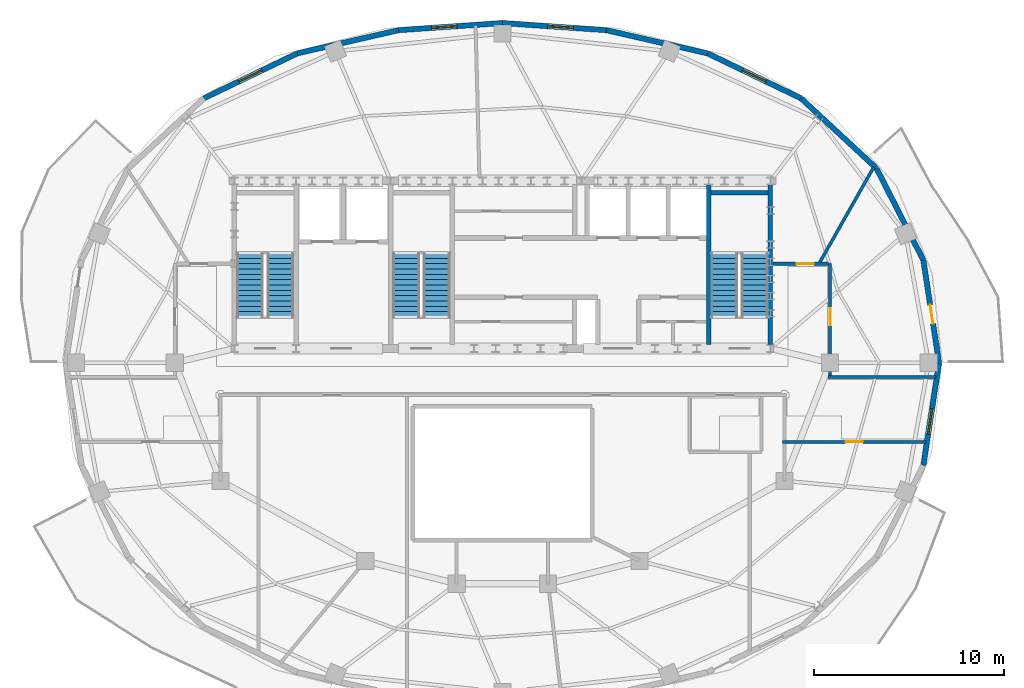
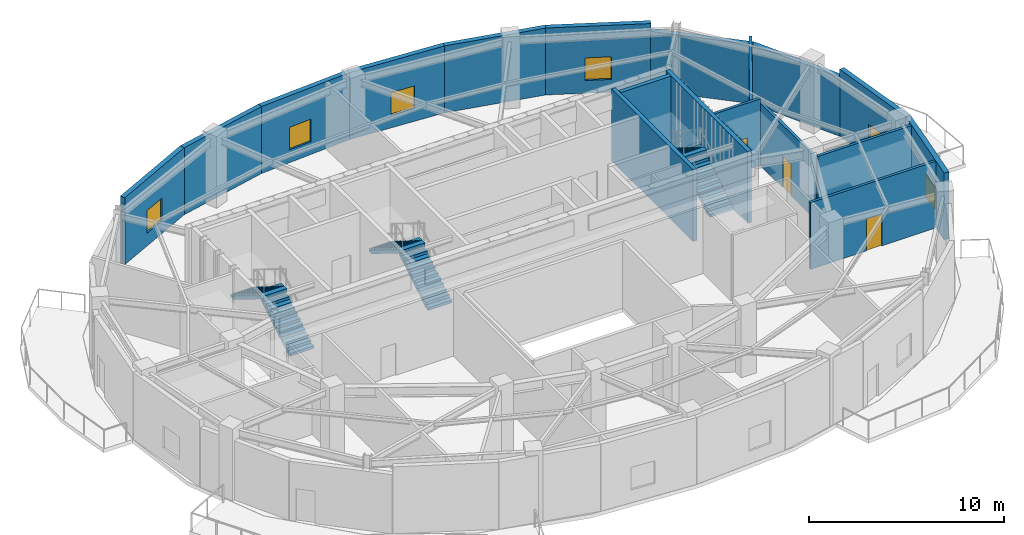
# One storey, part 5 of 9: 18 walls, 6 stair flights, 5 windows, 4 doors, 9 openings, 3 elements without a shape of their own.
"""IFC4 building model written with IfcOpenShell, lengths in metres."""

from ifc_helpers import new_model, si_unit, direction, frame, frame_2d, origin, place, context, subcontext, project, spatial, polyline, rectangle, outline, extrude, material, layer, layer_set, type_object, element, fill, aggregate, save


model = new_model("IFC4")

# Units and contexts
model_context = context("Model", 3, precision=1e-05, world=origin(), true_north=direction((0.0, 1.0)))
body_context = subcontext(model_context, "Body", "Model", "MODEL_VIEW")
ifc_project = project(units=[si_unit("LENGTHUNIT", "METRE"), si_unit("AREAUNIT", "SQUARE_METRE"), si_unit("VOLUMEUNIT", "CUBIC_METRE"), si_unit("PLANEANGLEUNIT", "RADIAN"), si_unit("MASSUNIT", "GRAM", prefix="KILO")], contexts=[model_context])

# Site, building, storey
site_placement = place(None, origin())
site = spatial("IfcSite", under=ifc_project, at=site_placement, CompositionType="ELEMENT")
building_placement = place(site_placement, origin())
building = spatial("IfcBuilding", under=site, at=building_placement, Name="Haldorwick Loom Tower", CompositionType="ELEMENT")
storey_placement = place(building_placement, frame((0.0, 0.0, 282.0)))
storey = spatial("IfcBuildingStorey", under=building, at=storey_placement, Name="L76", CompositionType="ELEMENT", Elevation=282.0)

# Wall, opening, door
ifc_material_1 = material(Name="Pressed Clay Face Brick and Insulated Masonry Backup Assembly", Category="masonry")
ifc_layer_1 = layer(ifc_material_1, 0.280029296875, Name="Pressed Clay Face Brick and Insulated Masonry Backup Assembly", Category="masonry")
ifc_layer_set_1 = layer_set([ifc_layer_1], Name="Pressed Clay Face Brick and Insulated Masonry Backup Assembly")
wall_type_1 = type_object("IfcWallType", Name="ARC-WL-EXT280", PredefinedType="STANDARD", material=ifc_layer_set_1)
wall_1_placement = place(storey_placement, frame((58.9208984375, 26.0, 0.0), z_axis=(0.0, 0.0, 1.0), x_axis=(-0.151110573005, 0.988516866182, 0.0)))
wall_1 = element("IfcWall", 1, at=wall_1_placement, inside=storey, type_object=wall_type_1, Name="L76 Brick Pier and Spandrel Wall 1", PredefinedType="STANDARD", context=body_context, shape_type="SweptSolid", body=[
    extrude(rectangle(XDim=5.4462890625, YDim=0.280029296875, at=frame_2d((2.72314453125, 0.0))), origin(), (0.0, 0.0, 1.0), 4.199951171875),
])
opening_1_placement = place(wall_1_placement, frame((2.07373046875, 0.0, 0.0)))
opening_1 = element("IfcOpeningElement", 2, at=opening_1_placement, cuts=wall_1, Name="Opening D-BL10", PredefinedType="OPENING", context=body_context, shape_type="SweptSolid", body=[
    extrude(rectangle(XDim=1.0, YDim=2.0400390625, at=frame_2d((0.5, 1.02001953125))), frame((0.0, 0.14990234375, 0.0), z_axis=(0.0, -1.0, 0.0), x_axis=(1.0, 0.0, 0.0)), (0.0, 0.0, 1.0), 0.300048828125),
])
ifc_material_2 = material(Name="Thermally Broken Anodized Aluminium Curtain Wall Framing", Category="aluminium")
door_type_1 = type_object("IfcDoorType", Name="ARC-DR-BAL100", OperationType="NOTDEFINED", PredefinedType="DOOR", material=ifc_material_2)
door_1_placement = place(opening_1_placement, origin())
door_1 = element("IfcDoor", 3, at=door_1_placement, inside=storey, type_object=door_type_1, Name="L76 Outdoor Terrace Door SLB-L76-BAL_ENE", OperationType="SINGLE_SWING_RIGHT", OverallHeight=2.0400390625, OverallWidth=1.0, PredefinedType="DOOR", context=body_context, shape_type="SweptSolid", body=[
    extrude(rectangle(XDim=1.0, YDim=2.0400390625, at=frame_2d((0.5, 1.02001953125))), frame((0.0, 0.02490234375, 0.0), z_axis=(0.0, -1.0, 0.0), x_axis=(1.0, 0.0, 0.0)), (0.0, 0.0, 1.0), 0.050048828125),
])
fill(opening_1, door_1)

# Walls
for number, where, z_axis, x_axis, name in (
    (4, (58.097900390625, 31.3837890625, 0.0), (0.0, 0.0, 1.0), (-0.454417014044, 0.890789075678, 0.0), "L76 Brick Pier and Spandrel Wall 2"),
    (5, (55.638671875, 36.20458984375, 0.0), (0.0, 0.0, 1.0), (-0.733156506145, 0.680059951399, 0.0), "L76 Brick Pier and Spandrel Wall 3"),
):
    element("IfcWall", number, at=place(storey_placement, frame(where, z_axis=z_axis, x_axis=x_axis)), inside=storey, type_object=wall_type_1, Name=name, PredefinedType="STANDARD", context=body_context, shape_type="SweptSolid", body=[
        extrude(rectangle(XDim=5.411865234375, YDim=0.280029296875, at=frame_2d((2.7060546875, 0.0))), origin(), (0.0, 0.0, 1.0), 3.708984375),
    ])

# Wall, opening, window
wall_2_placement = place(storey_placement, frame((51.6708984375, 39.885009765625, 0.0), z_axis=(0.0, 0.0, 1.0), x_axis=(-0.901083511605, 0.433645598518, 0.0)))
wall_2 = element("IfcWall", 6, at=wall_2_placement, inside=storey, type_object=wall_type_1, Name="L76 Brick Pier and Spandrel Wall 4", PredefinedType="STANDARD", context=body_context, shape_type="SweptSolid", body=[
    extrude(rectangle(XDim=5.440185546875, YDim=0.280029296875, at=frame_2d((2.72021484375, 0.0))), origin(), (0.0, 0.0, 1.0), 4.199951171875),
])
opening_2_placement = place(wall_2_placement, frame((2.045166015625, 0.0, 0.800048828125)))
opening_2 = element("IfcOpeningElement", 7, at=opening_2_placement, cuts=wall_2, Name="Opening W-02B", PredefinedType="OPENING", context=body_context, shape_type="SweptSolid", body=[
    extrude(rectangle(XDim=1.35009765625, YDim=1.419921875, at=frame_2d((0.675048828125, 0.7099609375))), frame((0.0, 0.14990234375, 0.0), z_axis=(0.0, -1.0, 0.0), x_axis=(1.0, 0.0, 0.0)), (0.0, 0.0, 1.0), 0.300048828125),
])
ifc_material_3 = material(Name="Triple-Glazed Low-E Argon Insulated Glazing Unit", Category="glass")
window_type = type_object("IfcWindowType", Name="ARC-WIN-W135", PartitioningType="SINGLE_PANEL", PredefinedType="WINDOW", material=ifc_material_3)
window_1_placement = place(opening_2_placement, origin())
window_1 = element("IfcWindow", 8, at=window_1_placement, inside=storey, type_object=window_type, Name="L76 Deep-Set Zone 7A Window 4", OverallHeight=1.419921875, OverallWidth=1.35009765625, PartitioningType="SINGLE_PANEL", PredefinedType="WINDOW", context=body_context, shape_type="SweptSolid", body=[
    extrude(rectangle(XDim=1.35009765625, YDim=1.419921875, at=frame_2d((0.675048828125, 0.7099609375))), frame((0.0, 0.030029296875, 0.0), z_axis=(0.0, -1.0, 0.0), x_axis=(1.0, 0.0, 0.0)), (0.0, 0.0, 1.0), 0.06005859375),
])
fill(opening_2, window_1)

# Wall
wall_3_placement = place(storey_placement, frame((46.768798828125, 42.244140625, 0.0), z_axis=(0.0, 0.0, 1.0), x_axis=(-0.974769032237, 0.223215890545, 0.0)))
element("IfcWall", 9, at=wall_3_placement, inside=storey, type_object=wall_type_1, Name="L76 Brick Pier and Spandrel Wall 5", PredefinedType="STANDARD", context=body_context, shape_type="SweptSolid", body=[
    extrude(rectangle(XDim=5.457763671875, YDim=0.280029296875, at=frame_2d((2.72900390625, 0.0))), origin(), (0.0, 0.0, 1.0), 4.199951171875),
])

# Wall, opening, window
wall_4_placement = place(storey_placement, frame((41.44873046875, 43.46240234375, 0.0), z_axis=(0.0, 0.0, 1.0), x_axis=(-0.997667530395, 0.068260521503, 0.0)))
wall_4 = element("IfcWall", 10, at=wall_4_placement, inside=storey, type_object=wall_type_1, Name="L76 Brick Pier and Spandrel Wall 6", PredefinedType="STANDARD", context=body_context, shape_type="SweptSolid", body=[
    extrude(rectangle(XDim=5.46142578125, YDim=0.280029296875, at=frame_2d((2.730712890625, 0.0))), origin(), (0.0, 0.0, 1.0), 4.199951171875),
])
opening_3_placement = place(wall_4_placement, frame((1.724609375, 0.0, 0.800048828125)))
opening_3 = element("IfcOpeningElement", 11, at=opening_3_placement, cuts=wall_4, Name="Opening W-02B", PredefinedType="OPENING", context=body_context, shape_type="SweptSolid", body=[
    extrude(rectangle(XDim=1.35009765625, YDim=1.419921875, at=frame_2d((0.675048828125, 0.7099609375))), frame((0.0, 0.14990234375, 0.0), z_axis=(0.0, -1.0, 0.0), x_axis=(1.0, 0.0, 0.0)), (0.0, 0.0, 1.0), 0.300048828125),
])
window_2_placement = place(opening_3_placement, origin())
window_2 = element("IfcWindow", 12, at=window_2_placement, inside=storey, type_object=window_type, Name="L76 Deep-Set Zone 7A Window 6", OverallHeight=1.419921875, OverallWidth=1.35009765625, PartitioningType="SINGLE_PANEL", PredefinedType="WINDOW", context=body_context, shape_type="SweptSolid", body=[
    extrude(rectangle(XDim=1.35009765625, YDim=1.419921875, at=frame_2d((0.675048828125, 0.7099609375))), frame((0.0, 0.030029296875, 0.0), z_axis=(0.0, -1.0, 0.0), x_axis=(1.0, 0.0, 0.0)), (0.0, 0.0, 1.0), 0.06005859375),
])
fill(opening_3, window_2)

wall_5_placement = place(storey_placement, frame((36.0, 43.835205078125, 0.0), z_axis=(0.0, 0.0, 1.0), x_axis=(-0.997667530395, -0.068260521503, 0.0)))
wall_5 = element("IfcWall", 13, at=wall_5_placement, inside=storey, type_object=wall_type_1, Name="L76 Brick Pier and Spandrel Wall 7", PredefinedType="STANDARD", context=body_context, shape_type="SweptSolid", body=[
    extrude(rectangle(XDim=5.46142578125, YDim=0.280029296875, at=frame_2d((2.730712890625, 0.0))), origin(), (0.0, 0.0, 1.0), 4.199951171875),
])
opening_4_placement = place(wall_5_placement, frame((2.38671875, 0.0, 0.800048828125)))
opening_4 = element("IfcOpeningElement", 14, at=opening_4_placement, cuts=wall_5, Name="Opening W-02B", PredefinedType="OPENING", context=body_context, shape_type="SweptSolid", body=[
    extrude(rectangle(XDim=1.35009765625, YDim=1.419921875, at=frame_2d((0.675048828125, 0.7099609375))), frame((0.0, 0.14990234375, 0.0), z_axis=(0.0, -1.0, 0.0), x_axis=(1.0, 0.0, 0.0)), (0.0, 0.0, 1.0), 0.300048828125),
])
window_3_placement = place(opening_4_placement, origin())
window_3 = element("IfcWindow", 15, at=window_3_placement, inside=storey, type_object=window_type, Name="L76 Deep-Set Zone 7A Window 7", OverallHeight=1.419921875, OverallWidth=1.35009765625, PartitioningType="SINGLE_PANEL", PredefinedType="WINDOW", context=body_context, shape_type="SweptSolid", body=[
    extrude(rectangle(XDim=1.35009765625, YDim=1.419921875, at=frame_2d((0.675048828125, 0.7099609375))), frame((0.0, 0.030029296875, 0.0), z_axis=(0.0, -1.0, 0.0), x_axis=(1.0, 0.0, 0.0)), (0.0, 0.0, 1.0), 0.06005859375),
])
fill(opening_4, window_3)

# Wall
wall_6_placement = place(storey_placement, frame((30.55126953125, 43.46240234375, 0.0), z_axis=(0.0, 0.0, 1.0), x_axis=(-0.974769032237, -0.223215890545, 0.0)))
element("IfcWall", 16, at=wall_6_placement, inside=storey, type_object=wall_type_1, Name="L76 Brick Pier and Spandrel Wall 8", PredefinedType="STANDARD", context=body_context, shape_type="SweptSolid", body=[
    extrude(rectangle(XDim=5.457763671875, YDim=0.280029296875, at=frame_2d((2.72900390625, 0.0))), origin(), (0.0, 0.0, 1.0), 4.199951171875),
])

# Wall, opening, window
wall_7_placement = place(storey_placement, frame((25.231201171875, 42.244140625, 0.0), z_axis=(0.0, 0.0, 1.0), x_axis=(-0.901083511605, -0.433645598518, 0.0)))
wall_7 = element("IfcWall", 17, at=wall_7_placement, inside=storey, type_object=wall_type_1, Name="L76 Brick Pier and Spandrel Wall 9", PredefinedType="STANDARD", context=body_context, shape_type="SweptSolid", body=[
    extrude(rectangle(XDim=5.440185546875, YDim=0.280029296875, at=frame_2d((2.72021484375, 0.0))), origin(), (0.0, 0.0, 1.0), 4.199951171875),
])
opening_5_placement = place(wall_7_placement, frame((2.045166015625, 0.0, 0.800048828125)))
opening_5 = element("IfcOpeningElement", 18, at=opening_5_placement, cuts=wall_7, Name="Opening W-02B", PredefinedType="OPENING", context=body_context, shape_type="SweptSolid", body=[
    extrude(rectangle(XDim=1.35009765625, YDim=1.419921875, at=frame_2d((0.675048828125, 0.7099609375))), frame((0.0, 0.14990234375, 0.0), z_axis=(0.0, -1.0, 0.0), x_axis=(1.0, 0.0, 0.0)), (0.0, 0.0, 1.0), 0.300048828125),
])
window_4_placement = place(opening_5_placement, origin())
window_4 = element("IfcWindow", 19, at=window_4_placement, inside=storey, type_object=window_type, Name="L76 Deep-Set Zone 7A Window 9", OverallHeight=1.419921875, OverallWidth=1.35009765625, PartitioningType="SINGLE_PANEL", PredefinedType="WINDOW", context=body_context, shape_type="SweptSolid", body=[
    extrude(rectangle(XDim=1.35009765625, YDim=1.419921875, at=frame_2d((0.675048828125, 0.7099609375))), frame((0.0, 0.030029296875, 0.0), z_axis=(0.0, -1.0, 0.0), x_axis=(1.0, 0.0, 0.0)), (0.0, 0.0, 1.0), 0.06005859375),
])
fill(opening_5, window_4)

wall_8_placement = place(storey_placement, frame((58.097900390625, 20.6162109375, 0.0), z_axis=(0.0, 0.0, 1.0), x_axis=(0.151110573005, 0.988516866182, 0.0)))
wall_8 = element("IfcWall", 20, at=wall_8_placement, inside=storey, type_object=wall_type_1, Name="L76 Brick Pier and Spandrel Wall 24", PredefinedType="STANDARD", context=body_context, shape_type="SweptSolid", body=[
    extrude(rectangle(XDim=5.4462890625, YDim=0.280029296875, at=frame_2d((2.72314453125, 0.0))), origin(), (0.0, 0.0, 1.0), 4.199951171875),
])
opening_6_placement = place(wall_8_placement, frame((1.658447265625, 0.0, 0.800048828125)))
opening_6 = element("IfcOpeningElement", 21, at=opening_6_placement, cuts=wall_8, Name="Opening W-02B", PredefinedType="OPENING", context=body_context, shape_type="SweptSolid", body=[
    extrude(rectangle(XDim=1.35009765625, YDim=1.419921875, at=frame_2d((0.675048828125, 0.7099609375))), frame((0.0, 0.14990234375, 0.0), z_axis=(0.0, -1.0, 0.0), x_axis=(1.0, 0.0, 0.0)), (0.0, 0.0, 1.0), 0.300048828125),
])
window_5_placement = place(opening_6_placement, origin())
window_5 = element("IfcWindow", 22, at=window_5_placement, inside=storey, type_object=window_type, Name="L76 Deep-Set Zone 7A Window 24", OverallHeight=1.419921875, OverallWidth=1.35009765625, PartitioningType="SINGLE_PANEL", PredefinedType="WINDOW", context=body_context, shape_type="SweptSolid", body=[
    extrude(rectangle(XDim=1.35009765625, YDim=1.419921875, at=frame_2d((0.675048828125, 0.7099609375))), frame((0.0, 0.030029296875, 0.0), z_axis=(0.0, -1.0, 0.0), x_axis=(1.0, 0.0, 0.0)), (0.0, 0.0, 1.0), 0.06005859375),
])
fill(opening_6, window_5)

# Wall, opening, door
ifc_material_4 = material(Name="Fire-Rated Type X Gypsum Stud Assembly EI 60")
ifc_layer_2 = layer(ifc_material_4, 0.159912109375, Name="Fire-Rated Type X Gypsum Stud Assembly EI 60")
ifc_layer_set_2 = layer_set([ifc_layer_2], Name="Fire-Rated Type X Gypsum Stud Assembly EI 60")
wall_type_2 = type_object("IfcWallType", Name="ARC-WL-FIRE160", PredefinedType="PARTITIONING", material=ifc_layer_set_2)
wall_9_placement = place(storey_placement, frame((50.699951171875, 21.85009765625, 0.0), z_axis=(0.0, 0.0, 1.0), x_axis=(1.0, 0.0, 0.0)))
wall_9 = element("IfcWall", 23, at=wall_9_placement, inside=storey, type_object=wall_type_2, Name="L76 Residential Fire Partition L76-CR-SPE", PredefinedType="PARTITIONING", context=body_context, shape_type="SweptSolid", body=[
    extrude(rectangle(XDim=7.541015625, YDim=0.159912109375, at=frame_2d((3.7705078125, 0.0))), origin(), (0.0, 0.0, 1.0), 4.18505859375),
])
opening_7_placement = place(wall_9_placement, frame((3.3203125, 0.0, 0.0)))
opening_7 = element("IfcOpeningElement", 24, at=opening_7_placement, cuts=wall_9, Name="Opening D-FD60A", PredefinedType="OPENING", context=body_context, shape_type="SweptSolid", body=[
    extrude(rectangle(XDim=0.89990234375, YDim=2.0, at=frame_2d((0.449951171875, 1.0))), frame((0.0, 0.08984375, 0.0), z_axis=(0.0, -1.0, 0.0), x_axis=(1.0, 0.0, 0.0)), (0.0, 0.0, 1.0), 0.179931640625),
])
ifc_material_5 = material(Name="Hollow Steel Fire Door Assembly", Category="steel")
door_type_2 = type_object("IfcDoorType", Name="ARC-DR-FD60-90", OperationType="NOTDEFINED", PredefinedType="DOOR", material=ifc_material_5)
door_2_placement = place(opening_7_placement, origin())
door_2 = element("IfcDoor", 25, at=door_2_placement, inside=storey, type_object=door_type_2, Name="L76 L76 Central Residential Corridor to Resident Study Room 1 Door", OperationType="SINGLE_SWING_LEFT", OverallHeight=2.0, OverallWidth=0.89990234375, PredefinedType="DOOR", context=body_context, shape_type="SweptSolid", body=[
    extrude(rectangle(XDim=0.89990234375, YDim=2.0, at=frame_2d((0.449951171875, 1.0))), frame((0.0, 0.02490234375, 0.0), z_axis=(0.0, -1.0, 0.0), x_axis=(1.0, 0.0, 0.0)), (0.0, 0.0, 1.0), 0.050048828125),
])
fill(opening_7, door_2)

# Wall
wall_10_placement = place(storey_placement, frame((53.10009765625, 25.25, 0.0), z_axis=(0.0, 0.0, 1.0), x_axis=(1.0, 0.0, 0.0)))
element("IfcWall", 26, at=wall_10_placement, inside=storey, type_object=wall_type_2, Name="L76 Residential Fire Partition L76-CR-NEL", PredefinedType="PARTITIONING", context=body_context, shape_type="SweptSolid", body=[
    extrude(rectangle(XDim=5.660400390625, YDim=0.159912109375, at=frame_2d((2.830078125, 0.0))), origin(), (0.0, 0.0, 1.0), 4.18505859375),
])

# Wall, opening, door
wall_11_placement = place(storey_placement, frame((53.199951171875, 25.3330078125, 0.0), z_axis=(0.0, 0.0, 1.0), x_axis=(0.0, 1.0, 0.0)))
wall_11 = element("IfcWall", 27, at=wall_11_placement, inside=storey, type_object=wall_type_2, Name="L76 Residential Fire Partition L76-CR-E0", PredefinedType="PARTITIONING", context=body_context, shape_type="SweptSolid", body=[
    extrude(rectangle(XDim=5.866943359375, YDim=0.159912109375, at=frame_2d((2.93359375, 0.0))), origin(), (0.0, 0.0, 1.0), 3.9169921875),
])
opening_8_placement = place(wall_11_placement, frame((2.634521484375, 0.0, 0.0)))
opening_8 = element("IfcOpeningElement", 28, at=opening_8_placement, cuts=wall_11, Name="Opening D-FD60A", PredefinedType="OPENING", context=body_context, shape_type="SweptSolid", body=[
    extrude(rectangle(XDim=0.89990234375, YDim=2.0, at=frame_2d((0.449951171875, 1.0))), frame((0.0, 0.08984375, 0.0), z_axis=(0.0, -1.0, 0.0), x_axis=(1.0, 0.0, 0.0)), (0.0, 0.0, 1.0), 0.179931640625),
])
door_3_placement = place(opening_8_placement, origin())
door_3 = element("IfcDoor", 29, at=door_3_placement, inside=storey, type_object=door_type_2, Name="L76 L76 Central Residential Corridor to Co-Working Open Office 1 Door", OperationType="SINGLE_SWING_LEFT", OverallHeight=2.0, OverallWidth=0.89990234375, PredefinedType="DOOR", context=body_context, shape_type="SweptSolid", body=[
    extrude(rectangle(XDim=0.89990234375, YDim=2.0, at=frame_2d((0.449951171875, 1.0))), frame((0.0, 0.02490234375, 0.0), z_axis=(0.0, -1.0, 0.0), x_axis=(1.0, 0.0, 0.0)), (0.0, 0.0, 1.0), 0.050048828125),
])
fill(opening_8, door_3)

wall_12_placement = place(storey_placement, frame((50.193115234375, 31.199951171875, 0.0), z_axis=(0.0, 0.0, 1.0), x_axis=(1.0, 0.0, 0.0)))
wall_12 = element("IfcWall", 30, at=wall_12_placement, inside=storey, type_object=wall_type_2, Name="L76 Residential Fire Partition L76-CR-ENJ", PredefinedType="PARTITIONING", context=body_context, shape_type="SweptSolid", body=[
    extrude(rectangle(XDim=2.923828125, YDim=0.159912109375, at=frame_2d((1.4619140625, 0.0))), origin(), (0.0, 0.0, 1.0), 4.18505859375),
])
opening_9_placement = place(wall_12_placement, frame((1.25634765625, 0.0, 0.0)))
opening_9 = element("IfcOpeningElement", 31, at=opening_9_placement, cuts=wall_12, Name="Opening D-FD60A", PredefinedType="OPENING", context=body_context, shape_type="SweptSolid", body=[
    extrude(rectangle(XDim=0.89990234375, YDim=2.0, at=frame_2d((0.449951171875, 1.0))), frame((0.0, 0.08984375, 0.0), z_axis=(0.0, -1.0, 0.0), x_axis=(1.0, 0.0, 0.0)), (0.0, 0.0, 1.0), 0.179931640625),
])
door_4_placement = place(opening_9_placement, frame((0.89990234375, 0.0, 0.0), z_axis=(0.0, 0.0, 1.0), x_axis=(-1.0, 0.0, 0.0)))
door_4 = element("IfcDoor", 32, at=door_4_placement, inside=storey, type_object=door_type_2, Name="L76 Co-Working Open Office 4 to L76 Central Residential Corridor Door", OperationType="SINGLE_SWING_LEFT", OverallHeight=2.0, OverallWidth=0.89990234375, PredefinedType="DOOR", context=body_context, shape_type="SweptSolid", body=[
    extrude(rectangle(XDim=0.89990234375, YDim=2.0, at=frame_2d((0.449951171875, 1.0))), frame((0.0, 0.02490234375, 0.0), z_axis=(0.0, -1.0, 0.0), x_axis=(1.0, 0.0, 0.0)), (0.0, 0.0, 1.0), 0.050048828125),
])
fill(opening_9, door_4)

# Walls
wall_13_placement = place(storey_placement, frame((55.494873046875, 36.276611328125, 0.0), z_axis=(0.0, 0.0, 1.0), x_axis=(-0.49292885345, -0.870069621028, 0.0)))
element("IfcWall", 33, at=wall_13_placement, inside=storey, type_object=wall_type_2, Name="L76 Suite Split Wall", PredefinedType="PARTITIONING", context=body_context, shape_type="SweptSolid", body=[
    extrude(rectangle(XDim=5.7392578125, YDim=0.159912109375, at=frame_2d((2.86962890625, 0.0))), origin(), (0.0, 0.0, 1.0), 4.18505859375),
])
ifc_material_6 = material(Name="Concrete C50 (50 MPa)", Category="concrete")
ifc_layer_3 = layer(ifc_material_6, 0.239990234375, Name="Concrete C50 (50 MPa)", Category="concrete")
ifc_layer_set_3 = layer_set([ifc_layer_3], Name="Concrete C50 (50 MPa)")
wall_type_3 = type_object("IfcWallType", Name="STR-WL-SHAFT240", PredefinedType="SHEAR", material=ifc_layer_set_3)
for number, where, z_axis, x_axis, name in (
    (34, (50.070068359375, 26.952880859375, 0.0), (0.0, 0.0, 1.0), (0.0, 1.0, 0.0), "L76 Core Shear Wall E"),
    (35, (46.830078125, 26.952880859375, 0.0), (0.0, 0.0, 1.0), (0.0, 1.0, 0.0), "L76 Core Shear Wall 4"),
):
    element("IfcWall", number, at=place(storey_placement, frame(where, z_axis=z_axis, x_axis=x_axis)), inside=storey, type_object=wall_type_3, Name=name, PredefinedType="SHEAR", context=body_context, shape_type="SweptSolid", body=[
        extrude(rectangle(XDim=8.39404296875, YDim=0.239990234375, at=frame_2d((4.197021484375, 0.0))), origin(), (0.0, 0.0, 1.0), 4.5),
    ])
wall_14_placement = place(storey_placement, frame((46.952880859375, 34.919921875, 0.0), z_axis=(0.0, 0.0, 1.0), x_axis=(1.0, 0.0, 0.0)))
element("IfcWall", 36, at=wall_14_placement, inside=storey, type_object=wall_type_3, Name="L76 Core Shear Wall 4N", PredefinedType="SHEAR", context=body_context, shape_type="SweptSolid", body=[
    extrude(rectangle(XDim=2.994140625, YDim=0.239990234375, at=frame_2d((1.4970703125, 0.0))), origin(), (0.0, 0.0, 1.0), 4.5),
])

# Stair, stair flights
ifc_material_7 = material(Name="Concrete C40 (40 MPa)", Category="concrete")
stair_type = type_object("IfcStairType", Name="STR-STR-CORE", PredefinedType="HALF_TURN_STAIR", material=ifc_material_7)
stair_1_placement = place(storey_placement, origin())
stair_1 = element("IfcStair", 37, at=stair_1_placement, inside=storey, type_object=stair_type, Name="L76 Exit Stair ST-01", PredefinedType="HALF_TURN_STAIR")
stair_flight_type = type_object("IfcStairFlightType", Name="STR-STF-1250", PredefinedType="STRAIGHT", material=ifc_material_7)
stair_flight_1_placement = place(storey_placement, frame((24.35009765625, 28.39990234375, 0.0), z_axis=(0.0, 0.0, 1.0), x_axis=(0.0, 1.0, 0.0)))
stair_flight_1 = element("IfcStairFlight", 38, at=stair_flight_1_placement, type_object=stair_flight_type, Name="ST-01 flight 1", NumberOfRisers=13, NumberOfTreads=12, PredefinedType="STRAIGHT", RiserHeight=0.173076923, TreadLength=0.28, context=body_context, shape_type="SweptSolid", body=[
    extrude(outline(polyline([(0.0, 0.0), (0.0, 0.173095703125), (0.280029296875, 0.173095703125), (0.280029296875, 0.34619140625), (0.56005859375, 0.34619140625), (0.56005859375, 0.519287109375), (0.840087890625, 0.519287109375), (0.840087890625, 0.6923828125), (1.1201171875, 0.6923828125), (1.1201171875, 0.865478515625), (1.39990234375, 0.865478515625), (1.39990234375, 1.03857421875), (1.679931640625, 1.03857421875), (1.679931640625, 1.21142578125), (1.9599609375, 1.21142578125), (1.9599609375, 1.384521484375), (2.239990234375, 1.384521484375), (2.239990234375, 1.5576171875), (2.52001953125, 1.5576171875), (2.52001953125, 1.730712890625), (2.800048828125, 1.730712890625), (2.800048828125, 1.90380859375), (3.080078125, 1.90380859375), (3.080078125, 2.076904296875), (3.360107421875, 2.076904296875), (3.360107421875, 2.25), (3.360107421875, 1.900634765625), (0.28515625, 0.0), (0.0, 0.0)])), frame((0.0, 0.699951171875, 0.0), z_axis=(0.0, -1.0, 0.0), x_axis=(1.0, 0.0, 0.0)), (0.0, 0.0, 1.0), 1.39990234375),
])
stair_flight_2_placement = place(storey_placement, frame((22.75, 31.760009765625, 2.25), z_axis=(0.0, 0.0, 1.0), x_axis=(0.0, -1.0, 0.0)))
stair_flight_2 = element("IfcStairFlight", 39, at=stair_flight_2_placement, type_object=stair_flight_type, Name="ST-01 flight 2", NumberOfRisers=13, NumberOfTreads=12, PredefinedType="STRAIGHT", RiserHeight=0.173076923, TreadLength=0.28, context=body_context, shape_type="SweptSolid", body=[
    extrude(outline(polyline([(0.0, 0.0), (0.0, 0.173095703125), (0.280029296875, 0.173095703125), (0.280029296875, 0.34619140625), (0.56005859375, 0.34619140625), (0.56005859375, 0.519287109375), (0.840087890625, 0.519287109375), (0.840087890625, 0.6923828125), (1.1201171875, 0.6923828125), (1.1201171875, 0.865478515625), (1.39990234375, 0.865478515625), (1.39990234375, 1.03857421875), (1.679931640625, 1.03857421875), (1.679931640625, 1.21142578125), (1.9599609375, 1.21142578125), (1.9599609375, 1.384521484375), (2.239990234375, 1.384521484375), (2.239990234375, 1.5576171875), (2.52001953125, 1.5576171875), (2.52001953125, 1.730712890625), (2.800048828125, 1.730712890625), (2.800048828125, 1.90380859375), (3.080078125, 1.90380859375), (3.080078125, 2.076904296875), (3.360107421875, 2.076904296875), (3.360107421875, 2.25), (3.360107421875, 1.900634765625), (0.28515625, 0.0), (0.0, 0.0)])), frame((0.0, 0.699951171875, 0.0), z_axis=(0.0, -1.0, 0.0), x_axis=(1.0, 0.0, 0.0)), (0.0, 0.0, 1.0), 1.39990234375),
])
aggregate(stair_1, [stair_flight_1, stair_flight_2])

stair_2_placement = place(storey_placement, origin())
stair_2 = element("IfcStair", 40, at=stair_2_placement, inside=storey, type_object=stair_type, Name="L76 Exit Stair ST-02", PredefinedType="HALF_TURN_STAIR")
stair_flight_3_placement = place(storey_placement, frame((49.25, 28.39990234375, 0.0), z_axis=(0.0, 0.0, 1.0), x_axis=(0.0, 1.0, 0.0)))
stair_flight_3 = element("IfcStairFlight", 41, at=stair_flight_3_placement, type_object=stair_flight_type, Name="ST-02 flight 1", NumberOfRisers=13, NumberOfTreads=12, PredefinedType="STRAIGHT", RiserHeight=0.173076923, TreadLength=0.28, context=body_context, shape_type="SweptSolid", body=[
    extrude(outline(polyline([(0.0, 0.0), (0.0, 0.173095703125), (0.280029296875, 0.173095703125), (0.280029296875, 0.34619140625), (0.56005859375, 0.34619140625), (0.56005859375, 0.519287109375), (0.840087890625, 0.519287109375), (0.840087890625, 0.6923828125), (1.1201171875, 0.6923828125), (1.1201171875, 0.865478515625), (1.39990234375, 0.865478515625), (1.39990234375, 1.03857421875), (1.679931640625, 1.03857421875), (1.679931640625, 1.21142578125), (1.9599609375, 1.21142578125), (1.9599609375, 1.384521484375), (2.239990234375, 1.384521484375), (2.239990234375, 1.5576171875), (2.52001953125, 1.5576171875), (2.52001953125, 1.730712890625), (2.800048828125, 1.730712890625), (2.800048828125, 1.90380859375), (3.080078125, 1.90380859375), (3.080078125, 2.076904296875), (3.360107421875, 2.076904296875), (3.360107421875, 2.25), (3.360107421875, 1.900634765625), (0.28515625, 0.0), (0.0, 0.0)])), frame((0.0, 0.699951171875, 0.0), z_axis=(0.0, -1.0, 0.0), x_axis=(1.0, 0.0, 0.0)), (0.0, 0.0, 1.0), 1.39990234375),
])
stair_flight_4_placement = place(storey_placement, frame((47.64990234375, 31.760009765625, 2.25), z_axis=(0.0, 0.0, 1.0), x_axis=(0.0, -1.0, 0.0)))
stair_flight_4 = element("IfcStairFlight", 42, at=stair_flight_4_placement, type_object=stair_flight_type, Name="ST-02 flight 2", NumberOfRisers=13, NumberOfTreads=12, PredefinedType="STRAIGHT", RiserHeight=0.173076923, TreadLength=0.28, context=body_context, shape_type="SweptSolid", body=[
    extrude(outline(polyline([(0.0, 0.0), (0.0, 0.173095703125), (0.280029296875, 0.173095703125), (0.280029296875, 0.34619140625), (0.56005859375, 0.34619140625), (0.56005859375, 0.519287109375), (0.840087890625, 0.519287109375), (0.840087890625, 0.6923828125), (1.1201171875, 0.6923828125), (1.1201171875, 0.865478515625), (1.39990234375, 0.865478515625), (1.39990234375, 1.03857421875), (1.679931640625, 1.03857421875), (1.679931640625, 1.21142578125), (1.9599609375, 1.21142578125), (1.9599609375, 1.384521484375), (2.239990234375, 1.384521484375), (2.239990234375, 1.5576171875), (2.52001953125, 1.5576171875), (2.52001953125, 1.730712890625), (2.800048828125, 1.730712890625), (2.800048828125, 1.90380859375), (3.080078125, 1.90380859375), (3.080078125, 2.076904296875), (3.360107421875, 2.076904296875), (3.360107421875, 2.25), (3.360107421875, 1.900634765625), (0.28515625, 0.0), (0.0, 0.0)])), frame((0.0, 0.699951171875, 0.0), z_axis=(0.0, -1.0, 0.0), x_axis=(1.0, 0.0, 0.0)), (0.0, 0.0, 1.0), 1.39990234375),
])
aggregate(stair_2, [stair_flight_3, stair_flight_4])

stair_3_placement = place(storey_placement, origin())
stair_3 = element("IfcStair", 43, at=stair_3_placement, inside=storey, type_object=stair_type, Name="L76 Exit Stair ST-03", PredefinedType="HALF_TURN_STAIR")
stair_flight_5_placement = place(storey_placement, frame((32.550048828125, 28.39990234375, 0.0), z_axis=(0.0, 0.0, 1.0), x_axis=(0.0, 1.0, 0.0)))
stair_flight_5 = element("IfcStairFlight", 44, at=stair_flight_5_placement, type_object=stair_flight_type, Name="ST-03 flight 1", NumberOfRisers=13, NumberOfTreads=12, PredefinedType="STRAIGHT", RiserHeight=0.173076923, TreadLength=0.28, context=body_context, shape_type="SweptSolid", body=[
    extrude(outline(polyline([(0.0, 0.0), (0.0, 0.173095703125), (0.280029296875, 0.173095703125), (0.280029296875, 0.34619140625), (0.56005859375, 0.34619140625), (0.56005859375, 0.519287109375), (0.840087890625, 0.519287109375), (0.840087890625, 0.6923828125), (1.1201171875, 0.6923828125), (1.1201171875, 0.865478515625), (1.39990234375, 0.865478515625), (1.39990234375, 1.03857421875), (1.679931640625, 1.03857421875), (1.679931640625, 1.21142578125), (1.9599609375, 1.21142578125), (1.9599609375, 1.384521484375), (2.239990234375, 1.384521484375), (2.239990234375, 1.5576171875), (2.52001953125, 1.5576171875), (2.52001953125, 1.730712890625), (2.800048828125, 1.730712890625), (2.800048828125, 1.90380859375), (3.080078125, 1.90380859375), (3.080078125, 2.076904296875), (3.360107421875, 2.076904296875), (3.360107421875, 2.25), (3.360107421875, 1.900634765625), (0.28515625, 0.0), (0.0, 0.0)])), frame((0.0, 0.699951171875, 0.0), z_axis=(0.0, -1.0, 0.0), x_axis=(1.0, 0.0, 0.0)), (0.0, 0.0, 1.0), 1.39990234375),
])
stair_flight_6_placement = place(storey_placement, frame((30.949951171875, 31.760009765625, 2.25), z_axis=(0.0, 0.0, 1.0), x_axis=(0.0, -1.0, 0.0)))
stair_flight_6 = element("IfcStairFlight", 45, at=stair_flight_6_placement, type_object=stair_flight_type, Name="ST-03 flight 2", NumberOfRisers=13, NumberOfTreads=12, PredefinedType="STRAIGHT", RiserHeight=0.173076923, TreadLength=0.28, context=body_context, shape_type="SweptSolid", body=[
    extrude(outline(polyline([(0.0, 0.0), (0.0, 0.173095703125), (0.280029296875, 0.173095703125), (0.280029296875, 0.34619140625), (0.56005859375, 0.34619140625), (0.56005859375, 0.519287109375), (0.840087890625, 0.519287109375), (0.840087890625, 0.6923828125), (1.1201171875, 0.6923828125), (1.1201171875, 0.865478515625), (1.39990234375, 0.865478515625), (1.39990234375, 1.03857421875), (1.679931640625, 1.03857421875), (1.679931640625, 1.21142578125), (1.9599609375, 1.21142578125), (1.9599609375, 1.384521484375), (2.239990234375, 1.384521484375), (2.239990234375, 1.5576171875), (2.52001953125, 1.5576171875), (2.52001953125, 1.730712890625), (2.800048828125, 1.730712890625), (2.800048828125, 1.90380859375), (3.080078125, 1.90380859375), (3.080078125, 2.076904296875), (3.360107421875, 2.076904296875), (3.360107421875, 2.25), (3.360107421875, 1.900634765625), (0.28515625, 0.0), (0.0, 0.0)])), frame((0.0, 0.699951171875, 0.0), z_axis=(0.0, -1.0, 0.0), x_axis=(1.0, 0.0, 0.0)), (0.0, 0.0, 1.0), 1.39990234375),
])
aggregate(stair_3, [stair_flight_5, stair_flight_6])

save(model, "model.ifc")
